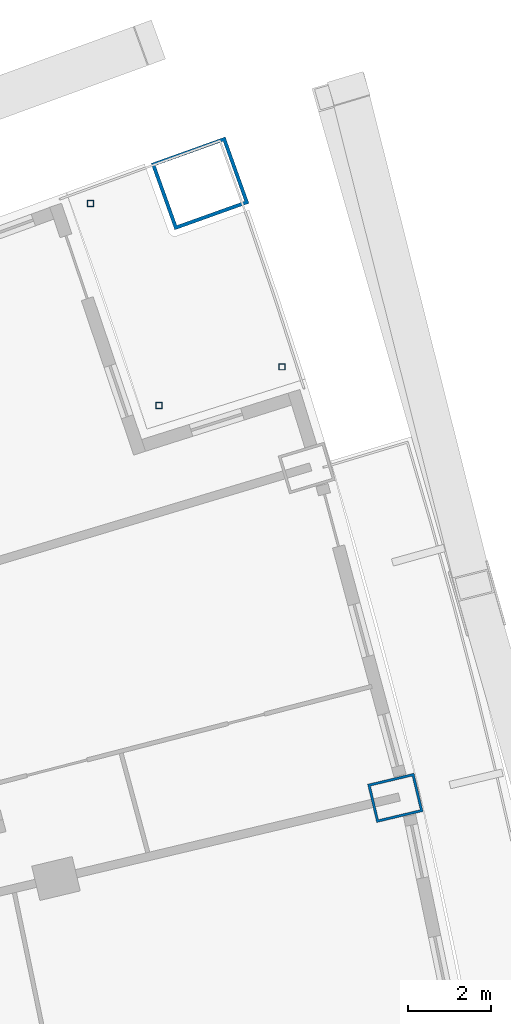
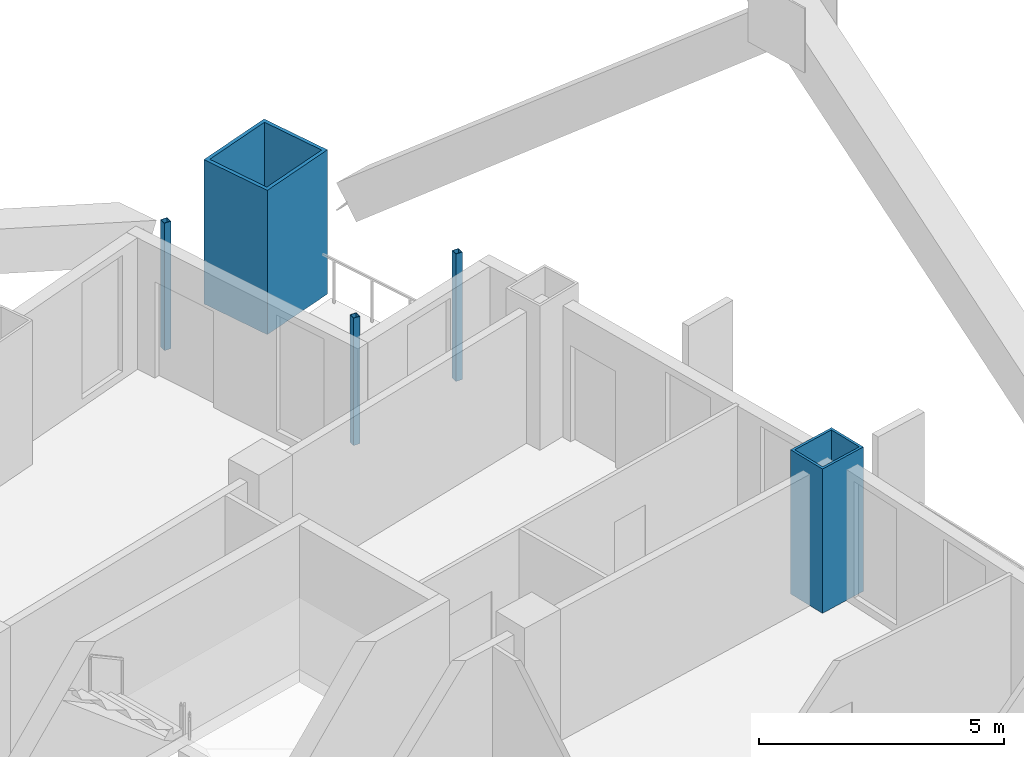
# One storey, part 8 of 24: 5 columns.
"""IFC4 building model written with IfcOpenShell, lengths in metres."""

from ifc_helpers import new_model, si_unit, direction, frame, origin, origin_2d, place, context, subcontext, project, spatial, hollow_rectangle, extrude, material, material_profile, profile_set, type_object, element, save


model = new_model("IFC4")

# Units and contexts
model_context = context("Model", 3, precision=1e-05, world=origin(), true_north=direction((0.0, 1.0)))
body_context = subcontext(model_context, "Body", "Model", "MODEL_VIEW")
ifc_project = project(units=[si_unit("LENGTHUNIT", "METRE"), si_unit("AREAUNIT", "SQUARE_METRE"), si_unit("VOLUMEUNIT", "CUBIC_METRE"), si_unit("PLANEANGLEUNIT", "RADIAN"), si_unit("MASSUNIT", "GRAM", prefix="KILO")], contexts=[model_context])

# Site, building, storey
site_placement = place(None, origin())
site = spatial("IfcSite", under=ifc_project, at=site_placement, CompositionType="ELEMENT")
building_placement = place(site_placement, origin())
building = spatial("IfcBuilding", under=site, at=building_placement, Name="Alderwake Tower", CompositionType="ELEMENT")
storey_placement = place(building_placement, frame((0.0, 0.0, 104.0)))
storey = spatial("IfcBuildingStorey", under=building, at=storey_placement, Name="L25", CompositionType="ELEMENT", Elevation=104.0)

# Columns
ifc_material_1 = material(Name="Steel ASTM A500 Grade C", Category="steel")
ifc_material_profile_1 = material_profile(ifc_material_1, hollow_rectangle(XDim=0.15234375, YDim=0.15234375, WallThickness=0.0087890625, at=origin_2d()), Name="HSS6X6X3/8")
ifc_profile_set_1 = profile_set([ifc_material_profile_1], Name="Steel ASTM A500 Grade C")
column_type_1 = type_object("IfcColumnType", Name="Light post HSS6X6X3/8", PredefinedType="COLUMN", material=ifc_profile_set_1)
for number, where, z_axis, x_axis, name in (
    (1, (54.446044921875, 103.9833984375, 0.0), (0.0, 0.0, 1.0), (1.0, 0.0, 0.0), "Terrace post FN1"),
    (2, (49.833984375, 107.9140625, 0.0), (0.0, 0.0, 1.0), (1.0, 0.0, 0.0), "Terrace post FN2"),
    (3, (51.490234375, 103.048828125, 0.0), (0.0, 0.0, 1.0), (1.0, 0.0, 0.0), "Terrace post FN3"),
):
    element("IfcColumn", number, at=place(storey_placement, frame(where, z_axis=z_axis, x_axis=x_axis)), inside=storey, type_object=column_type_1, Name=name, PredefinedType="COLUMN", context=body_context, shape_type="SweptSolid", body=[
        extrude(hollow_rectangle(XDim=0.15234375, YDim=0.15234375, WallThickness=0.0087890625, at=origin_2d()), origin(), (0.0, 0.0, 1.0), 3.179931640625),
    ])
ifc_material_2 = material(Name="Steel ASTM A572 Grade 50 concrete filled C70/85", Category="concrete")
ifc_material_profile_2 = material_profile(ifc_material_2, hollow_rectangle(XDim=1.699951171875, YDim=1.89990234375, WallThickness=0.0849609375, at=origin_2d()), Name="BOX 1900X1700X85")
ifc_profile_set_2 = profile_set([ifc_material_profile_2], Name="Steel ASTM A572 Grade 50 concrete filled C70/85")
column_type_2 = type_object("IfcColumnType", Name="Mega column Z2", PredefinedType="COLUMN", material=ifc_profile_set_2)
column_1_placement = place(storey_placement, frame((52.47509765625, 108.401123046875, 0.0), z_axis=(0.0, 0.0, 1.0), x_axis=(-0.336894783301, 0.941542301219, 0.0)))
element("IfcColumn", 4, at=column_1_placement, inside=storey, type_object=column_type_2, Name="Column R13-C5", PredefinedType="COLUMN", context=body_context, shape_type="SweptSolid", body=[
    extrude(hollow_rectangle(XDim=1.699951171875, YDim=1.89990234375, WallThickness=0.0849609375, at=origin_2d()), origin(), (0.0, 0.0, 1.0), 3.60009765625),
])
ifc_material_3 = material(Name="Steel ASTM A572 Grade 50 concrete filled C70/85", Category="concrete")
ifc_material_profile_3 = material_profile(ifc_material_3, hollow_rectangle(XDim=0.949951171875, YDim=1.14990234375, WallThickness=0.06005859375, at=origin_2d()), Name="BOX 1150X950X60")
ifc_profile_set_3 = profile_set([ifc_material_profile_3], Name="Steel ASTM A572 Grade 50 concrete filled C70/85")
column_type_3 = type_object("IfcColumnType", Name="Perimeter column Z2", PredefinedType="COLUMN", material=ifc_profile_set_3)
column_2_placement = place(storey_placement, frame((57.178955078125, 93.602294921875, 0.0), z_axis=(0.0, 0.0, 1.0), x_axis=(-0.231221547198, 0.972901123502, 0.0)))
element("IfcColumn", 5, at=column_2_placement, inside=storey, type_object=column_type_3, Name="Column R11-C5", PredefinedType="COLUMN", context=body_context, shape_type="SweptSolid", body=[
    extrude(hollow_rectangle(XDim=0.949951171875, YDim=1.14990234375, WallThickness=0.06005859375, at=origin_2d()), origin(), (0.0, 0.0, 1.0), 3.60009765625),
])

save(model, "model.ifc")
